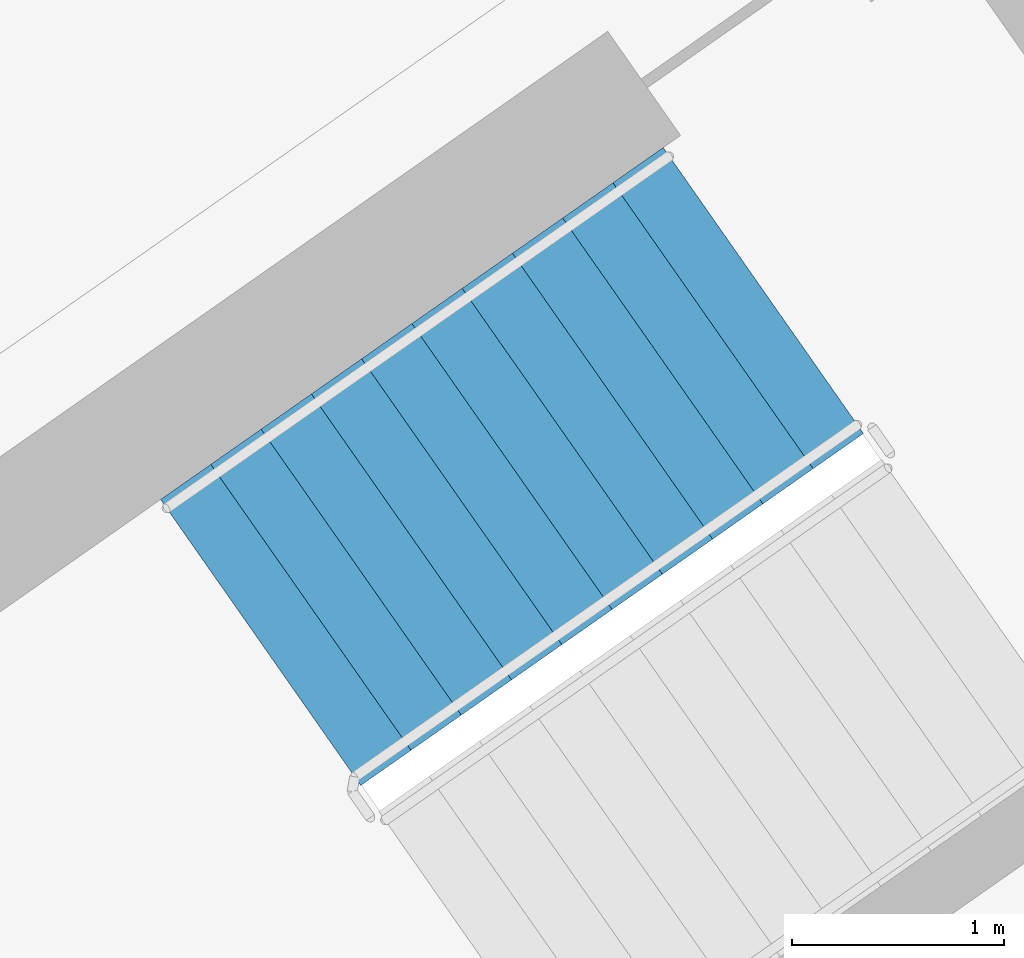
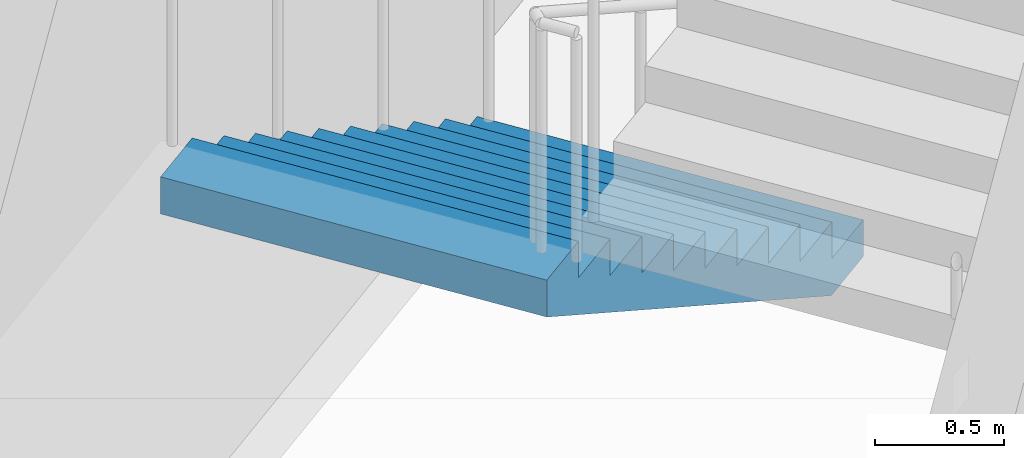
# One storey, part 16 of 28: 1 stair flight, 1 element without a shape of its own.
"""IFC4 building model written with IfcOpenShell, lengths in metres."""

from ifc_helpers import new_model, si_unit, direction, frame, origin, place, context, subcontext, project, spatial, faceted_brep, material, type_object, element, aggregate, save


model = new_model("IFC4")

# Units and contexts
model_context = context("Model", 3, precision=1e-05, world=origin(), true_north=direction((0.0, 1.0)))
body_context = subcontext(model_context, "Body", "Model", "MODEL_VIEW")
ifc_project = project(units=[si_unit("LENGTHUNIT", "METRE"), si_unit("AREAUNIT", "SQUARE_METRE"), si_unit("VOLUMEUNIT", "CUBIC_METRE"), si_unit("PLANEANGLEUNIT", "RADIAN"), si_unit("MASSUNIT", "GRAM", prefix="KILO")], contexts=[model_context])

# Site, building, storey
site_placement = place(None, origin())
site = spatial("IfcSite", under=ifc_project, at=site_placement, CompositionType="ELEMENT")
building_placement = place(site_placement, origin())
building = spatial("IfcBuilding", under=site, at=building_placement, Name="Qamariyya Broadcast Tower", CompositionType="ELEMENT")
storey_placement = place(building_placement, frame((0.0, 0.0, 226.5)))
storey = spatial("IfcBuildingStorey", under=building, at=storey_placement, Name="L54", CompositionType="ELEMENT", Elevation=226.5)

# Stair, stair flight
ifc_material = material(Name="Concrete C50/60", Category="concrete")
stair_type = type_object("IfcStairType", Name="Exit stair 22 risers of 173 mm", PredefinedType="HALF_TURN_STAIR", material=ifc_material)
stair_placement = place(storey_placement, origin())
stair = element("IfcStair", 1, at=stair_placement, inside=storey, type_object=stair_type, Name="L54 Stair E2", PredefinedType="HALF_TURN_STAIR")
stair_flight_type = type_object("IfcStairFlightType", Name="Exit stair flight 11 risers of 173 mm", PredefinedType="STRAIGHT", material=ifc_material)
stair_flight_placement = place(storey_placement, frame((40.558837890625, -47.685302734375, 0.0), z_axis=(0.0, 0.0, 1.0), x_axis=(-0.819152044289, -0.573576436351, 0.0)))
stair_flight = element("IfcStairFlight", 2, at=stair_flight_placement, type_object=stair_flight_type, Name="ST-E2 flight 1", NumberOfRisers=11, NumberOfTreads=10, PredefinedType="STRAIGHT", RiserHeight=0.172727273, TreadLength=0.29, context=body_context, shape_type="Brep", body=[
    faceted_brep([(0.0, 0.824951171875, 0.0), (0.0, 0.824951171875, 0.172607421875), (0.2900390625, 0.824951171875, 0.172607421875), (0.2900390625, 0.824951171875, 0.345458984375), (0.580078125, 0.824951171875, 0.345458984375), (0.580078125, 0.824951171875, 0.51806640625), (0.8701171875, 0.824951171875, 0.51806640625), (0.8701171875, 0.824951171875, 0.69091796875), (1.159912109375, 0.824951171875, 0.69091796875), (1.159912109375, 0.824951171875, 0.863525390625), (1.449951171875, 0.824951171875, 0.863525390625), (1.449951171875, 0.824951171875, 1.036376953125), (1.739990234375, 0.824951171875, 1.036376953125), (1.739990234375, 0.824951171875, 1.208984375), (2.030029296875, 0.824951171875, 1.208984375), (2.030029296875, 0.824951171875, 1.3818359375), (2.320068359375, 0.824951171875, 1.3818359375), (2.320068359375, 0.824951171875, 1.554443359375), (2.610107421875, 0.824951171875, 1.554443359375), (2.610107421875, 0.824951171875, 1.727294921875), (2.89990234375, 0.824951171875, 1.727294921875), (2.89990234375, 0.824951171875, 1.552734375), (0.29296875, 0.824951171875, 0.0), (0.29296875, -0.824951171875, 0.0), (2.89990234375, -0.824951171875, 1.552734375), (2.89990234375, -0.824951171875, 1.727294921875), (2.610107421875, -0.824951171875, 1.727294921875), (2.610107421875, -0.824951171875, 1.554443359375), (2.320068359375, -0.824951171875, 1.554443359375), (2.320068359375, -0.824951171875, 1.3818359375), (2.030029296875, -0.824951171875, 1.3818359375), (2.030029296875, -0.824951171875, 1.208984375), (1.739990234375, -0.824951171875, 1.208984375), (1.739990234375, -0.824951171875, 1.036376953125), (1.449951171875, -0.824951171875, 1.036376953125), (1.449951171875, -0.824951171875, 0.863525390625), (1.159912109375, -0.824951171875, 0.863525390625), (1.159912109375, -0.824951171875, 0.69091796875), (0.8701171875, -0.824951171875, 0.69091796875), (0.8701171875, -0.824951171875, 0.51806640625), (0.580078125, -0.824951171875, 0.51806640625), (0.580078125, -0.824951171875, 0.345458984375), (0.2900390625, -0.824951171875, 0.345458984375), (0.2900390625, -0.824951171875, 0.172607421875), (0.0, -0.824951171875, 0.172607421875), (0.0, -0.824951171875, 0.0), (0.0, 0.10009765625, 0.0), (0.0, 0.086669921875, 0.0), (0.0, 0.0732421875, 0.0), (0.0, 0.06005859375, 0.0), (0.0, 0.046630859375, 0.0), (0.0, 0.033447265625, 0.0), (0.0, 0.02001953125, 0.0), (0.0, 0.006591796875, 0.0), (0.0, -0.006591796875, 0.0), (0.0, -0.02001953125, 0.0), (0.0, -0.033447265625, 0.0), (0.0, -0.046630859375, 0.0), (0.0, -0.06005859375, 0.0), (0.0, -0.0732421875, 0.0), (0.0, -0.086669921875, 0.0), (0.0, -0.10009765625, 0.0), (0.0, -0.10009765625, 0.172607421875), (0.0, -0.086669921875, 0.172607421875), (0.0, -0.0732421875, 0.172607421875), (0.0, -0.06005859375, 0.172607421875), (0.0, -0.046630859375, 0.172607421875), (0.0, -0.033447265625, 0.172607421875), (0.0, -0.02001953125, 0.172607421875), (0.0, -0.006591796875, 0.172607421875), (0.0, 0.006591796875, 0.172607421875), (0.0, 0.02001953125, 0.172607421875), (0.0, 0.033447265625, 0.172607421875), (0.0, 0.046630859375, 0.172607421875), (0.0, 0.06005859375, 0.172607421875), (0.0, 0.0732421875, 0.172607421875), (0.0, 0.086669921875, 0.172607421875), (0.0, 0.10009765625, 0.172607421875), (0.2900390625, -0.10009765625, 0.172607421875), (0.2900390625, -0.086669921875, 0.172607421875), (0.2900390625, -0.0732421875, 0.172607421875), (0.2900390625, -0.06005859375, 0.172607421875), (0.2900390625, -0.046630859375, 0.172607421875), (0.2900390625, -0.033447265625, 0.172607421875), (0.2900390625, -0.02001953125, 0.172607421875), (0.2900390625, -0.006591796875, 0.172607421875), (0.2900390625, 0.006591796875, 0.172607421875), (0.2900390625, 0.02001953125, 0.172607421875), (0.2900390625, 0.033447265625, 0.172607421875), (0.2900390625, 0.046630859375, 0.172607421875), (0.2900390625, 0.06005859375, 0.172607421875), (0.2900390625, 0.0732421875, 0.172607421875), (0.2900390625, 0.086669921875, 0.172607421875), (0.2900390625, 0.10009765625, 0.172607421875), (0.2900390625, -0.10009765625, 0.345458984375), (0.2900390625, -0.086669921875, 0.345458984375), (0.2900390625, -0.0732421875, 0.345458984375), (0.2900390625, -0.06005859375, 0.345458984375), (0.2900390625, -0.046630859375, 0.345458984375), (0.2900390625, -0.033447265625, 0.345458984375), (0.2900390625, -0.02001953125, 0.345458984375), (0.2900390625, -0.006591796875, 0.345458984375), (0.2900390625, 0.006591796875, 0.345458984375), (0.2900390625, 0.02001953125, 0.345458984375), (0.2900390625, 0.033447265625, 0.345458984375), (0.2900390625, 0.046630859375, 0.345458984375), (0.2900390625, 0.06005859375, 0.345458984375), (0.2900390625, 0.0732421875, 0.345458984375), (0.2900390625, 0.086669921875, 0.345458984375), (0.2900390625, 0.10009765625, 0.345458984375), (0.580078125, -0.10009765625, 0.345458984375), (0.580078125, -0.086669921875, 0.345458984375), (0.580078125, -0.0732421875, 0.345458984375), (0.580078125, -0.06005859375, 0.345458984375), (0.580078125, -0.046630859375, 0.345458984375), (0.580078125, -0.033447265625, 0.345458984375), (0.580078125, -0.02001953125, 0.345458984375), (0.580078125, -0.006591796875, 0.345458984375), (0.580078125, 0.006591796875, 0.345458984375), (0.580078125, 0.02001953125, 0.345458984375), (0.580078125, 0.033447265625, 0.345458984375), (0.580078125, 0.046630859375, 0.345458984375), (0.580078125, 0.06005859375, 0.345458984375), (0.580078125, 0.0732421875, 0.345458984375), (0.580078125, 0.086669921875, 0.345458984375), (0.580078125, 0.10009765625, 0.345458984375), (0.580078125, -0.10009765625, 0.51806640625), (0.580078125, -0.086669921875, 0.51806640625), (0.580078125, -0.0732421875, 0.51806640625), (0.580078125, -0.06005859375, 0.51806640625), (0.580078125, -0.046630859375, 0.51806640625), (0.580078125, -0.033447265625, 0.51806640625), (0.580078125, -0.02001953125, 0.51806640625), (0.580078125, -0.006591796875, 0.51806640625), (0.580078125, 0.006591796875, 0.51806640625), (0.580078125, 0.02001953125, 0.51806640625), (0.580078125, 0.033447265625, 0.51806640625), (0.580078125, 0.046630859375, 0.51806640625), (0.580078125, 0.06005859375, 0.51806640625), (0.580078125, 0.0732421875, 0.51806640625), (0.580078125, 0.086669921875, 0.51806640625), (0.580078125, 0.10009765625, 0.51806640625), (0.8701171875, -0.10009765625, 0.51806640625), (0.8701171875, -0.086669921875, 0.51806640625), (0.8701171875, -0.0732421875, 0.51806640625), (0.8701171875, -0.06005859375, 0.51806640625), (0.8701171875, -0.046630859375, 0.51806640625), (0.8701171875, -0.033447265625, 0.51806640625), (0.8701171875, -0.02001953125, 0.51806640625), (0.8701171875, -0.006591796875, 0.51806640625), (0.8701171875, 0.006591796875, 0.51806640625), (0.8701171875, 0.02001953125, 0.51806640625), (0.8701171875, 0.033447265625, 0.51806640625), (0.8701171875, 0.046630859375, 0.51806640625), (0.8701171875, 0.06005859375, 0.51806640625), (0.8701171875, 0.0732421875, 0.51806640625), (0.8701171875, 0.086669921875, 0.51806640625), (0.8701171875, 0.10009765625, 0.51806640625), (0.8701171875, -0.10009765625, 0.69091796875), (0.8701171875, -0.086669921875, 0.69091796875), (0.8701171875, -0.0732421875, 0.69091796875), (0.8701171875, -0.06005859375, 0.69091796875), (0.8701171875, -0.046630859375, 0.69091796875), (0.8701171875, -0.033447265625, 0.69091796875), (0.8701171875, -0.02001953125, 0.69091796875), (0.8701171875, -0.006591796875, 0.69091796875), (0.8701171875, 0.006591796875, 0.69091796875), (0.8701171875, 0.02001953125, 0.69091796875), (0.8701171875, 0.033447265625, 0.69091796875), (0.8701171875, 0.046630859375, 0.69091796875), (0.8701171875, 0.06005859375, 0.69091796875), (0.8701171875, 0.0732421875, 0.69091796875), (0.8701171875, 0.086669921875, 0.69091796875), (0.8701171875, 0.10009765625, 0.69091796875), (1.159912109375, -0.10009765625, 0.69091796875), (1.159912109375, -0.086669921875, 0.69091796875), (1.159912109375, -0.0732421875, 0.69091796875), (1.159912109375, -0.06005859375, 0.69091796875), (1.159912109375, -0.046630859375, 0.69091796875), (1.159912109375, -0.033447265625, 0.69091796875), (1.159912109375, -0.02001953125, 0.69091796875), (1.159912109375, -0.006591796875, 0.69091796875), (1.159912109375, 0.006591796875, 0.69091796875), (1.159912109375, 0.02001953125, 0.69091796875), (1.159912109375, 0.033447265625, 0.69091796875), (1.159912109375, 0.046630859375, 0.69091796875), (1.159912109375, 0.06005859375, 0.69091796875), (1.159912109375, 0.0732421875, 0.69091796875), (1.159912109375, 0.086669921875, 0.69091796875), (1.159912109375, 0.10009765625, 0.69091796875), (1.159912109375, -0.10009765625, 0.863525390625), (1.159912109375, -0.086669921875, 0.863525390625), (1.159912109375, -0.0732421875, 0.863525390625), (1.159912109375, -0.06005859375, 0.863525390625), (1.159912109375, -0.046630859375, 0.863525390625), (1.159912109375, -0.033447265625, 0.863525390625), (1.159912109375, -0.02001953125, 0.863525390625), (1.159912109375, -0.006591796875, 0.863525390625), (1.159912109375, 0.006591796875, 0.863525390625), (1.159912109375, 0.02001953125, 0.863525390625), (1.159912109375, 0.033447265625, 0.863525390625), (1.159912109375, 0.046630859375, 0.863525390625), (1.159912109375, 0.06005859375, 0.863525390625), (1.159912109375, 0.0732421875, 0.863525390625), (1.159912109375, 0.086669921875, 0.863525390625), (1.159912109375, 0.10009765625, 0.863525390625), (1.449951171875, -0.10009765625, 0.863525390625), (1.449951171875, -0.086669921875, 0.863525390625), (1.449951171875, -0.0732421875, 0.863525390625), (1.449951171875, -0.06005859375, 0.863525390625), (1.449951171875, -0.046630859375, 0.863525390625), (1.449951171875, -0.033447265625, 0.863525390625), (1.449951171875, -0.02001953125, 0.863525390625), (1.449951171875, -0.006591796875, 0.863525390625), (1.449951171875, 0.006591796875, 0.863525390625), (1.449951171875, 0.02001953125, 0.863525390625), (1.449951171875, 0.033447265625, 0.863525390625), (1.449951171875, 0.046630859375, 0.863525390625), (1.449951171875, 0.06005859375, 0.863525390625), (1.449951171875, 0.0732421875, 0.863525390625), (1.449951171875, 0.086669921875, 0.863525390625), (1.449951171875, 0.10009765625, 0.863525390625), (1.449951171875, -0.10009765625, 1.036376953125), (1.449951171875, -0.086669921875, 1.036376953125), (1.449951171875, -0.0732421875, 1.036376953125), (1.449951171875, -0.06005859375, 1.036376953125), (1.449951171875, -0.046630859375, 1.036376953125), (1.449951171875, -0.033447265625, 1.036376953125), (1.449951171875, -0.02001953125, 1.036376953125), (1.449951171875, -0.006591796875, 1.036376953125), (1.449951171875, 0.006591796875, 1.036376953125), (1.449951171875, 0.02001953125, 1.036376953125), (1.449951171875, 0.033447265625, 1.036376953125), (1.449951171875, 0.046630859375, 1.036376953125), (1.449951171875, 0.06005859375, 1.036376953125), (1.449951171875, 0.0732421875, 1.036376953125), (1.449951171875, 0.086669921875, 1.036376953125), (1.449951171875, 0.10009765625, 1.036376953125), (1.739990234375, -0.10009765625, 1.036376953125), (1.739990234375, -0.086669921875, 1.036376953125), (1.739990234375, -0.0732421875, 1.036376953125), (1.739990234375, -0.06005859375, 1.036376953125), (1.739990234375, -0.046630859375, 1.036376953125), (1.739990234375, -0.033447265625, 1.036376953125), (1.739990234375, -0.02001953125, 1.036376953125), (1.739990234375, -0.006591796875, 1.036376953125), (1.739990234375, 0.006591796875, 1.036376953125), (1.739990234375, 0.02001953125, 1.036376953125), (1.739990234375, 0.033447265625, 1.036376953125), (1.739990234375, 0.046630859375, 1.036376953125), (1.739990234375, 0.06005859375, 1.036376953125), (1.739990234375, 0.0732421875, 1.036376953125), (1.739990234375, 0.086669921875, 1.036376953125), (1.739990234375, 0.10009765625, 1.036376953125), (1.739990234375, -0.10009765625, 1.208984375), (1.739990234375, -0.086669921875, 1.208984375), (1.739990234375, -0.0732421875, 1.208984375), (1.739990234375, -0.06005859375, 1.208984375), (1.739990234375, -0.046630859375, 1.208984375), (1.739990234375, -0.033447265625, 1.208984375), (1.739990234375, -0.02001953125, 1.208984375), (1.739990234375, -0.006591796875, 1.208984375), (1.739990234375, 0.006591796875, 1.208984375), (1.739990234375, 0.02001953125, 1.208984375), (1.739990234375, 0.033447265625, 1.208984375), (1.739990234375, 0.046630859375, 1.208984375), (1.739990234375, 0.06005859375, 1.208984375), (1.739990234375, 0.0732421875, 1.208984375), (1.739990234375, 0.086669921875, 1.208984375), (1.739990234375, 0.10009765625, 1.208984375), (2.030029296875, -0.10009765625, 1.208984375), (2.030029296875, -0.086669921875, 1.208984375), (2.030029296875, -0.0732421875, 1.208984375), (2.030029296875, -0.06005859375, 1.208984375), (2.030029296875, -0.046630859375, 1.208984375), (2.030029296875, -0.033447265625, 1.208984375), (2.030029296875, -0.02001953125, 1.208984375), (2.030029296875, -0.006591796875, 1.208984375), (2.030029296875, 0.006591796875, 1.208984375), (2.030029296875, 0.02001953125, 1.208984375), (2.030029296875, 0.033447265625, 1.208984375), (2.030029296875, 0.046630859375, 1.208984375), (2.030029296875, 0.06005859375, 1.208984375), (2.030029296875, 0.0732421875, 1.208984375), (2.030029296875, 0.086669921875, 1.208984375), (2.030029296875, 0.10009765625, 1.208984375), (2.030029296875, -0.10009765625, 1.3818359375), (2.030029296875, -0.086669921875, 1.3818359375), (2.030029296875, -0.0732421875, 1.3818359375), (2.030029296875, -0.06005859375, 1.3818359375), (2.030029296875, -0.046630859375, 1.3818359375), (2.030029296875, -0.033447265625, 1.3818359375), (2.030029296875, -0.02001953125, 1.3818359375), (2.030029296875, -0.006591796875, 1.3818359375), (2.030029296875, 0.006591796875, 1.3818359375), (2.030029296875, 0.02001953125, 1.3818359375), (2.030029296875, 0.033447265625, 1.3818359375), (2.030029296875, 0.046630859375, 1.3818359375), (2.030029296875, 0.06005859375, 1.3818359375), (2.030029296875, 0.0732421875, 1.3818359375), (2.030029296875, 0.086669921875, 1.3818359375), (2.030029296875, 0.10009765625, 1.3818359375), (2.320068359375, -0.10009765625, 1.3818359375), (2.320068359375, -0.086669921875, 1.3818359375), (2.320068359375, -0.0732421875, 1.3818359375), (2.320068359375, -0.06005859375, 1.3818359375), (2.320068359375, -0.046630859375, 1.3818359375), (2.320068359375, -0.033447265625, 1.3818359375), (2.320068359375, -0.02001953125, 1.3818359375), (2.320068359375, -0.006591796875, 1.3818359375), (2.320068359375, 0.006591796875, 1.3818359375), (2.320068359375, 0.02001953125, 1.3818359375), (2.320068359375, 0.033447265625, 1.3818359375), (2.320068359375, 0.046630859375, 1.3818359375), (2.320068359375, 0.06005859375, 1.3818359375), (2.320068359375, 0.0732421875, 1.3818359375), (2.320068359375, 0.086669921875, 1.3818359375), (2.320068359375, 0.10009765625, 1.3818359375), (2.320068359375, -0.10009765625, 1.554443359375), (2.320068359375, -0.086669921875, 1.554443359375), (2.320068359375, -0.0732421875, 1.554443359375), (2.320068359375, -0.06005859375, 1.554443359375), (2.320068359375, -0.046630859375, 1.554443359375), (2.320068359375, -0.033447265625, 1.554443359375), (2.320068359375, -0.02001953125, 1.554443359375), (2.320068359375, -0.006591796875, 1.554443359375), (2.320068359375, 0.006591796875, 1.554443359375), (2.320068359375, 0.02001953125, 1.554443359375), (2.320068359375, 0.033447265625, 1.554443359375), (2.320068359375, 0.046630859375, 1.554443359375), (2.320068359375, 0.06005859375, 1.554443359375), (2.320068359375, 0.0732421875, 1.554443359375), (2.320068359375, 0.086669921875, 1.554443359375), (2.320068359375, 0.10009765625, 1.554443359375), (2.610107421875, -0.10009765625, 1.554443359375), (2.610107421875, -0.086669921875, 1.554443359375), (2.610107421875, -0.0732421875, 1.554443359375), (2.610107421875, -0.06005859375, 1.554443359375), (2.610107421875, -0.046630859375, 1.554443359375), (2.610107421875, -0.033447265625, 1.554443359375), (2.610107421875, -0.02001953125, 1.554443359375), (2.610107421875, -0.006591796875, 1.554443359375), (2.610107421875, 0.006591796875, 1.554443359375), (2.610107421875, 0.02001953125, 1.554443359375), (2.610107421875, 0.033447265625, 1.554443359375), (2.610107421875, 0.046630859375, 1.554443359375), (2.610107421875, 0.06005859375, 1.554443359375), (2.610107421875, 0.0732421875, 1.554443359375), (2.610107421875, 0.086669921875, 1.554443359375), (2.610107421875, 0.10009765625, 1.554443359375), (2.610107421875, -0.10009765625, 1.727294921875), (2.610107421875, -0.086669921875, 1.727294921875), (2.610107421875, -0.0732421875, 1.727294921875), (2.610107421875, -0.06005859375, 1.727294921875), (2.610107421875, -0.046630859375, 1.727294921875), (2.610107421875, -0.033447265625, 1.727294921875), (2.610107421875, -0.02001953125, 1.727294921875), (2.610107421875, -0.006591796875, 1.727294921875), (2.610107421875, 0.006591796875, 1.727294921875), (2.610107421875, 0.02001953125, 1.727294921875), (2.610107421875, 0.033447265625, 1.727294921875), (2.610107421875, 0.046630859375, 1.727294921875), (2.610107421875, 0.06005859375, 1.727294921875), (2.610107421875, 0.0732421875, 1.727294921875), (2.610107421875, 0.086669921875, 1.727294921875), (2.610107421875, 0.10009765625, 1.727294921875), (2.89990234375, -0.10009765625, 1.727294921875), (2.89990234375, -0.086669921875, 1.727294921875), (2.89990234375, -0.0732421875, 1.727294921875), (2.89990234375, -0.06005859375, 1.727294921875), (2.89990234375, -0.046630859375, 1.727294921875), (2.89990234375, -0.033447265625, 1.727294921875), (2.89990234375, -0.02001953125, 1.727294921875), (2.89990234375, -0.006591796875, 1.727294921875), (2.89990234375, 0.006591796875, 1.727294921875), (2.89990234375, 0.02001953125, 1.727294921875), (2.89990234375, 0.033447265625, 1.727294921875), (2.89990234375, 0.046630859375, 1.727294921875), (2.89990234375, 0.06005859375, 1.727294921875), (2.89990234375, 0.0732421875, 1.727294921875), (2.89990234375, 0.086669921875, 1.727294921875), (2.89990234375, 0.10009765625, 1.727294921875), (2.89990234375, -0.10009765625, 1.552734375), (2.89990234375, -0.086669921875, 1.552734375), (2.89990234375, -0.0732421875, 1.552734375), (2.89990234375, -0.06005859375, 1.552734375), (2.89990234375, -0.046630859375, 1.552734375), (2.89990234375, -0.033447265625, 1.552734375), (2.89990234375, -0.02001953125, 1.552734375), (2.89990234375, -0.006591796875, 1.552734375), (2.89990234375, 0.006591796875, 1.552734375), (2.89990234375, 0.02001953125, 1.552734375), (2.89990234375, 0.033447265625, 1.552734375), (2.89990234375, 0.046630859375, 1.552734375), (2.89990234375, 0.06005859375, 1.552734375), (2.89990234375, 0.0732421875, 1.552734375), (2.89990234375, 0.086669921875, 1.552734375), (2.89990234375, 0.10009765625, 1.552734375), (0.29296875, -0.10009765625, 0.0), (0.29296875, -0.086669921875, 0.0), (0.29296875, -0.0732421875, 0.0), (0.29296875, -0.06005859375, 0.0), (0.29296875, -0.046630859375, 0.0), (0.29296875, -0.033447265625, 0.0), (0.29296875, -0.02001953125, 0.0), (0.29296875, -0.006591796875, 0.0), (0.29296875, 0.006591796875, 0.0), (0.29296875, 0.02001953125, 0.0), (0.29296875, 0.033447265625, 0.0), (0.29296875, 0.046630859375, 0.0), (0.29296875, 0.06005859375, 0.0), (0.29296875, 0.0732421875, 0.0), (0.29296875, 0.086669921875, 0.0), (0.29296875, 0.10009765625, 0.0)], [[[0, 1, 2, 3, 4, 5, 6, 7, 8, 9, 10, 11, 12, 13, 14, 15, 16, 17, 18, 19, 20, 21, 22]], [[23, 24, 25, 26, 27, 28, 29, 30, 31, 32, 33, 34, 35, 36, 37, 38, 39, 40, 41, 42, 43, 44, 45]], [[0, 46, 47, 48, 49, 50, 51, 52, 53, 54, 55, 56, 57, 58, 59, 60, 61, 45, 44, 62, 63, 64, 65, 66, 67, 68, 69, 70, 71, 72, 73, 74, 75, 76, 77, 1]], [[1, 77, 76, 75, 74, 73, 72, 71, 70, 69, 68, 67, 66, 65, 64, 63, 62, 44, 43, 78, 79, 80, 81, 82, 83, 84, 85, 86, 87, 88, 89, 90, 91, 92, 93, 2]], [[2, 93, 92, 91, 90, 89, 88, 87, 86, 85, 84, 83, 82, 81, 80, 79, 78, 43, 42, 94, 95, 96, 97, 98, 99, 100, 101, 102, 103, 104, 105, 106, 107, 108, 109, 3]], [[3, 109, 108, 107, 106, 105, 104, 103, 102, 101, 100, 99, 98, 97, 96, 95, 94, 42, 41, 110, 111, 112, 113, 114, 115, 116, 117, 118, 119, 120, 121, 122, 123, 124, 125, 4]], [[4, 125, 124, 123, 122, 121, 120, 119, 118, 117, 116, 115, 114, 113, 112, 111, 110, 41, 40, 126, 127, 128, 129, 130, 131, 132, 133, 134, 135, 136, 137, 138, 139, 140, 141, 5]], [[5, 141, 140, 139, 138, 137, 136, 135, 134, 133, 132, 131, 130, 129, 128, 127, 126, 40, 39, 142, 143, 144, 145, 146, 147, 148, 149, 150, 151, 152, 153, 154, 155, 156, 157, 6]], [[6, 157, 156, 155, 154, 153, 152, 151, 150, 149, 148, 147, 146, 145, 144, 143, 142, 39, 38, 158, 159, 160, 161, 162, 163, 164, 165, 166, 167, 168, 169, 170, 171, 172, 173, 7]], [[7, 173, 172, 171, 170, 169, 168, 167, 166, 165, 164, 163, 162, 161, 160, 159, 158, 38, 37, 174, 175, 176, 177, 178, 179, 180, 181, 182, 183, 184, 185, 186, 187, 188, 189, 8]], [[8, 189, 188, 187, 186, 185, 184, 183, 182, 181, 180, 179, 178, 177, 176, 175, 174, 37, 36, 190, 191, 192, 193, 194, 195, 196, 197, 198, 199, 200, 201, 202, 203, 204, 205, 9]], [[9, 205, 204, 203, 202, 201, 200, 199, 198, 197, 196, 195, 194, 193, 192, 191, 190, 36, 35, 206, 207, 208, 209, 210, 211, 212, 213, 214, 215, 216, 217, 218, 219, 220, 221, 10]], [[10, 221, 220, 219, 218, 217, 216, 215, 214, 213, 212, 211, 210, 209, 208, 207, 206, 35, 34, 222, 223, 224, 225, 226, 227, 228, 229, 230, 231, 232, 233, 234, 235, 236, 237, 11]], [[11, 237, 236, 235, 234, 233, 232, 231, 230, 229, 228, 227, 226, 225, 224, 223, 222, 34, 33, 238, 239, 240, 241, 242, 243, 244, 245, 246, 247, 248, 249, 250, 251, 252, 253, 12]], [[12, 253, 252, 251, 250, 249, 248, 247, 246, 245, 244, 243, 242, 241, 240, 239, 238, 33, 32, 254, 255, 256, 257, 258, 259, 260, 261, 262, 263, 264, 265, 266, 267, 268, 269, 13]], [[13, 269, 268, 267, 266, 265, 264, 263, 262, 261, 260, 259, 258, 257, 256, 255, 254, 32, 31, 270, 271, 272, 273, 274, 275, 276, 277, 278, 279, 280, 281, 282, 283, 284, 285, 14]], [[14, 285, 284, 283, 282, 281, 280, 279, 278, 277, 276, 275, 274, 273, 272, 271, 270, 31, 30, 286, 287, 288, 289, 290, 291, 292, 293, 294, 295, 296, 297, 298, 299, 300, 301, 15]], [[15, 301, 300, 299, 298, 297, 296, 295, 294, 293, 292, 291, 290, 289, 288, 287, 286, 30, 29, 302, 303, 304, 305, 306, 307, 308, 309, 310, 311, 312, 313, 314, 315, 316, 317, 16]], [[16, 317, 316, 315, 314, 313, 312, 311, 310, 309, 308, 307, 306, 305, 304, 303, 302, 29, 28, 318, 319, 320, 321, 322, 323, 324, 325, 326, 327, 328, 329, 330, 331, 332, 333, 17]], [[17, 333, 332, 331, 330, 329, 328, 327, 326, 325, 324, 323, 322, 321, 320, 319, 318, 28, 27, 334, 335, 336, 337, 338, 339, 340, 341, 342, 343, 344, 345, 346, 347, 348, 349, 18]], [[18, 349, 348, 347, 346, 345, 344, 343, 342, 341, 340, 339, 338, 337, 336, 335, 334, 27, 26, 350, 351, 352, 353, 354, 355, 356, 357, 358, 359, 360, 361, 362, 363, 364, 365, 19]], [[19, 365, 364, 363, 362, 361, 360, 359, 358, 357, 356, 355, 354, 353, 352, 351, 350, 26, 25, 366, 367, 368, 369, 370, 371, 372, 373, 374, 375, 376, 377, 378, 379, 380, 381, 20]], [[20, 381, 380, 379, 378, 377, 376, 375, 374, 373, 372, 371, 370, 369, 368, 367, 366, 25, 24, 382, 383, 384, 385, 386, 387, 388, 389, 390, 391, 392, 393, 394, 395, 396, 397, 21]], [[21, 397, 396, 395, 394, 393, 392, 391, 390, 389, 388, 387, 386, 385, 384, 383, 382, 24, 23, 398, 399, 400, 401, 402, 403, 404, 405, 406, 407, 408, 409, 410, 411, 412, 413, 22]], [[22, 413, 412, 411, 410, 409, 408, 407, 406, 405, 404, 403, 402, 401, 400, 399, 398, 23, 45, 61, 60, 59, 58, 57, 56, 55, 54, 53, 52, 51, 50, 49, 48, 47, 46, 0]]]),
])
aggregate(stair, [stair_flight])

save(model, "model.ifc")
